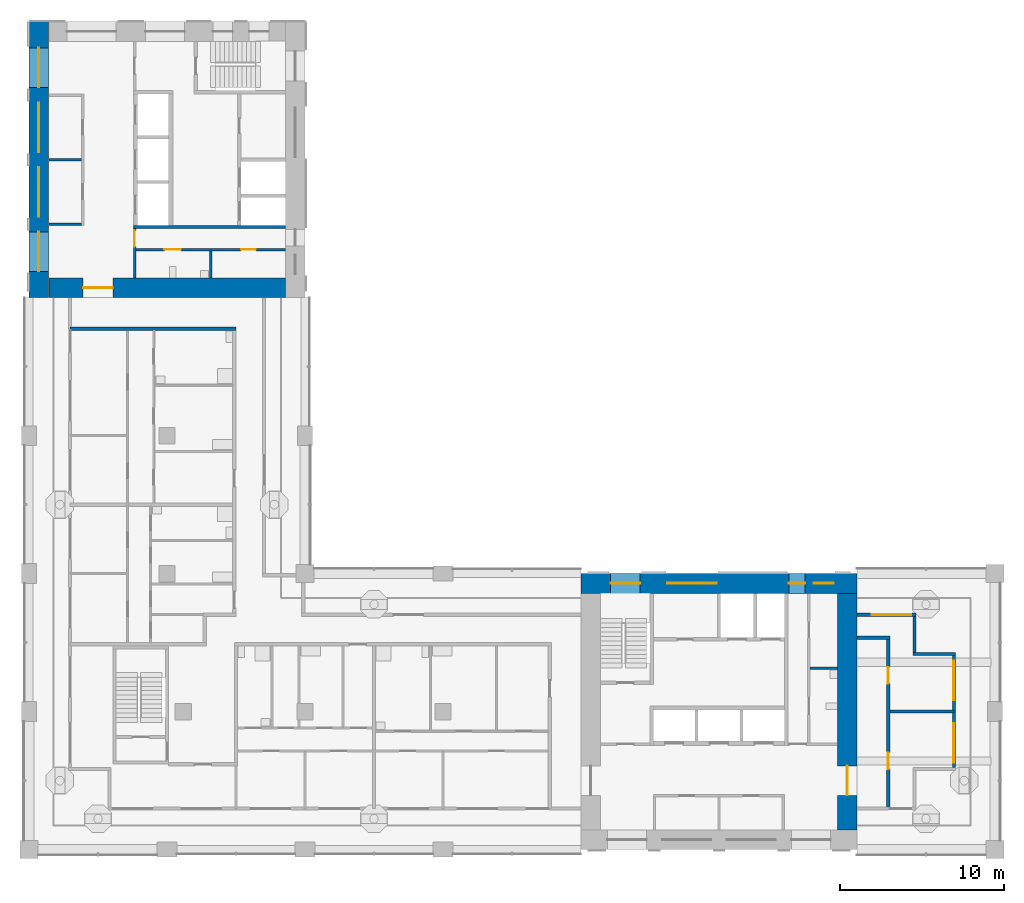
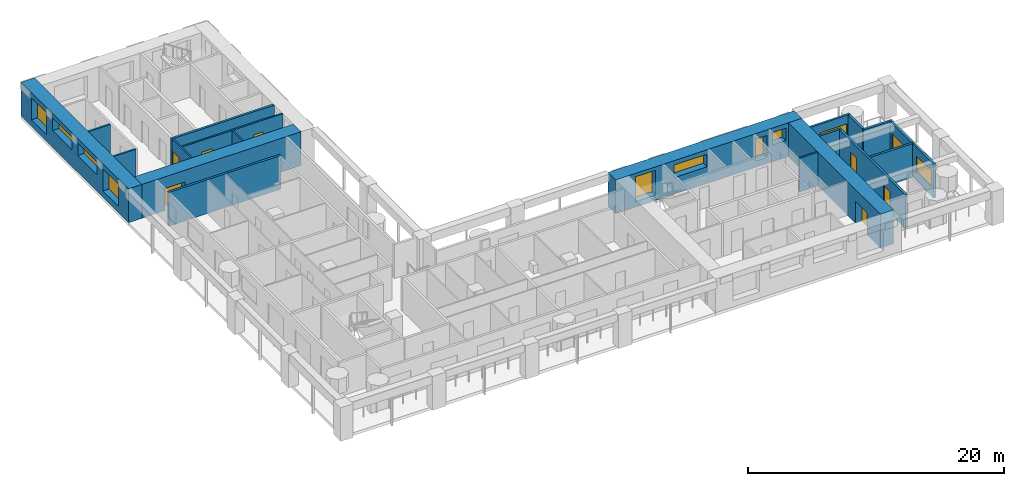
# One storey, part 5 of 13: 19 walls, 10 windows, 8 doors, 18 openings.
"""IFC4 building model written with IfcOpenShell, lengths in metres."""

import ifcopenshell
import ifcopenshell.guid

model = None  # the IFC model being written
_history = None  # IfcOwnerHistory: only IFC2X3 demands one
_inside = {}  # id of a spatial element -> (the spatial element, [elements in it])
_under = {}  # id of a project, library or spatial element -> (it, [spatial elements below it])
_declared = {}  # id of a project -> (the project, [libraries it declares])
_typed = {}  # id of a type object -> (the type object, [elements of that type])
_made_of = {}  # id of a material, layer set ... -> (it, [elements and type objects made of it])


def new_model(schema):
    """Start an empty IFC model of exactly this schema.

    Asked for "IFC4X3", IfcOpenShell would pick the latest addendum, in which some entities
    have other attributes; the version numbers below select the first issue.
    IFC2X3 requires an IfcOwnerHistory on every rooted entity: one is made here for all.
    """
    global model, _history
    if schema == "IFC4X3":
        model = ifcopenshell.file(schema_version=(4, 3, 0, 0))
    else:
        model = ifcopenshell.file(schema=schema)
    _inside.clear()
    _under.clear()
    _declared.clear()
    _typed.clear()
    _made_of.clear()
    _history = None
    if model.schema == "IFC2X3":
        org = make("IfcOrganization", Name="unknown")
        user = make(
            "IfcPersonAndOrganization",
            ThePerson=make("IfcPerson", FamilyName="unknown"),
            TheOrganization=org,
        )
        app = make(
            "IfcApplication",
            ApplicationDeveloper=org,
            Version="unknown",
            ApplicationFullName="unknown",
            ApplicationIdentifier="unknown",
        )
        _history = make(
            "IfcOwnerHistory",
            OwningUser=user,
            OwningApplication=app,
            ChangeAction="ADDED",
            CreationDate=0,
        )
    return model


def make(cls, **values):
    """One entity of the class cls with the attributes given. An attribute that is None is left unset."""
    return model.create_entity(
        cls, **{name: value for name, value in values.items() if value is not None}
    )


def rooted(cls, **values):
    """An entity with a GlobalId (a new one), such as an element, a storey or a relation."""
    return make(cls, GlobalId=ifcopenshell.guid.new(), OwnerHistory=_history, **values)


def si_unit(unit_type, name, prefix=None):
    """IfcSIUnit, for example si_unit("LENGTHUNIT", "METRE", prefix="MILLI")."""
    return make("IfcSIUnit", UnitType=unit_type, Prefix=prefix, Name=name)


def assignment(units):
    """IfcUnitAssignment: the units of a project."""
    return None if units is None else make("IfcUnitAssignment", Units=units)


def point(xyz):
    """IfcCartesianPoint."""
    return None if xyz is None else make("IfcCartesianPoint", Coordinates=xyz)


def direction(xyz):
    """IfcDirection."""
    return None if xyz is None else make("IfcDirection", DirectionRatios=xyz)


def frame(location, z_axis=None, x_axis=None):
    """IfcAxis2Placement3D, a coordinate frame: its origin and axes. An axis left out is left unset."""
    return make(
        "IfcAxis2Placement3D",
        Location=point(location),
        Axis=direction(z_axis),
        RefDirection=direction(x_axis),
    )


def frame_2d(location, x_axis=None):
    """IfcAxis2Placement2D, a coordinate frame in the plane: its origin and x axis."""
    return make(
        "IfcAxis2Placement2D", Location=point(location), RefDirection=direction(x_axis)
    )


def origin():
    """The frame at (0, 0, 0) with its axes left unset."""
    return frame((0.0, 0.0, 0.0))


def place(relative_to, where):
    """IfcLocalPlacement: puts the frame where relative to a parent placement (None: the world)."""
    return make(
        "IfcLocalPlacement", PlacementRelTo=relative_to, RelativePlacement=where
    )


def context(
    kind, dimensions, precision=None, world=None, true_north=None, identifier=None
):
    """IfcGeometricRepresentationContext, for example the 3D "Model" context."""
    return make(
        "IfcGeometricRepresentationContext",
        ContextIdentifier=identifier,
        ContextType=kind,
        CoordinateSpaceDimension=dimensions,
        Precision=precision,
        WorldCoordinateSystem=world,
        TrueNorth=true_north,
    )


def subcontext(parent, identifier, kind, view, scale=None):
    """IfcGeometricRepresentationSubContext, for example "Body" below "Model"."""
    return make(
        "IfcGeometricRepresentationSubContext",
        ContextIdentifier=identifier,
        ContextType=kind,
        ParentContext=parent,
        TargetScale=scale,
        TargetView=view,
    )


def project(units=None, contexts=None):
    """IfcProject with its units and contexts."""
    return rooted(
        "IfcProject",
        Name="project",
        RepresentationContexts=contexts,
        UnitsInContext=assignment(units),
    )


def spatial(cls, under=None, at=None, **own):
    """A site, building, storey or space (cls), placed at a placement, below another one or the project."""
    s = rooted(cls, ObjectPlacement=at, **own)
    if under is not None:
        _under.setdefault(under.id(), (under, []))[1].append(s)
    return s


def profile(cls, at=None, kind="AREA", **sizes):
    """A parametric profile (cls). Its sizes go by their IFC names, for example OverallWidth=200.0."""
    return make(cls, ProfileType=kind, Position=at, **sizes)


def rectangle(**sizes):
    """IfcRectangleProfileDef."""
    return profile("IfcRectangleProfileDef", **sizes)


def extrude(swept, where, along, depth):
    """IfcExtrudedAreaSolid: the profile swept, set in the frame where, extruded along a direction by depth."""
    return make(
        "IfcExtrudedAreaSolid",
        SweptArea=swept,
        Position=where,
        ExtrudedDirection=direction(along),
        Depth=depth,
    )


def shape(context_of_items, identifier, shape_type, items):
    """IfcShapeRepresentation: the items that make up one representation, for example the "Body"."""
    return make(
        "IfcShapeRepresentation",
        ContextOfItems=context_of_items,
        RepresentationIdentifier=identifier,
        RepresentationType=shape_type,
        Items=items,
    )


def material(Name=None, Category=None):
    """IfcMaterial."""
    return make("IfcMaterial", Name=Name, Category=Category)


def layer(
    of_material, thickness, ventilated=None, Name=None, Category=None, Priority=None
):
    """IfcMaterialLayer: one layer of a wall or slab, of a material (None: an air gap)."""
    return make(
        "IfcMaterialLayer",
        Material=of_material,
        LayerThickness=thickness,
        IsVentilated=ventilated,
        Name=Name,
        Category=Category,
        Priority=Priority,
    )


def layer_set(layers, Name=None):
    """IfcMaterialLayerSet."""
    return make("IfcMaterialLayerSet", MaterialLayers=layers, LayerSetName=Name)


def made_of(thing, what):
    """Note that an element or type object is made of a material, layer set ...; save() writes the relation."""
    if what is not None:
        _made_of.setdefault(what.id(), (what, []))[1].append(thing)
    return thing


def type_object(cls, material=None, **own):
    """A type object (cls), such as IfcWallType, which elements share."""
    return made_of(rooted(cls, **own), material)


def element(
    cls,
    number,
    at=None,
    inside=None,
    cuts=None,
    type_object=None,
    material=None,
    context=None,
    identifier="Body",
    shape_type=None,
    held_by="IfcProductDefinitionShape",
    body=None,
    shapes=None,
    **own,
):
    """One element of the class cls, such as IfcWall. Its Tag is "e" and its number.

    at: its placement. inside: the storey or other place that contains it. cuts: it is an
    opening in that element (IfcRelVoidsElement). A single representation is given by context,
    identifier, shape_type and body (its items); several are given by shapes. held_by: the class
    of the entity that holds the representations. save() writes the other relations.
    """
    e = rooted(cls, Tag="e%d" % number, ObjectPlacement=at, **own)
    if body is not None:
        shapes = [shape(context, identifier, shape_type, body)]
    if shapes is not None:
        e.Representation = make(held_by, Representations=shapes)
    if inside is not None:
        _inside.setdefault(inside.id(), (inside, []))[1].append(e)
    if cuts is not None:
        rooted(
            "IfcRelVoidsElement", RelatingBuildingElement=cuts, RelatedOpeningElement=e
        )
    if type_object is not None:
        _typed.setdefault(type_object.id(), (type_object, []))[1].append(e)
    return made_of(e, material)


def fill(opening, filler):
    """IfcRelFillsElement: the door or window that sits in an opening."""
    return rooted(
        "IfcRelFillsElement",
        RelatingOpeningElement=opening,
        RelatedBuildingElement=filler,
    )


def aggregate(whole, parts):
    """IfcRelAggregates: a whole, such as a stair, and the parts it consists of."""
    return rooted("IfcRelAggregates", RelatingObject=whole, RelatedObjects=parts)


def save(model, path):
    """Write the relations noted so far, then the file.

    IfcRelAggregates (storeys below a building ...), IfcRelContainedInSpatialStructure (elements
    in a storey), IfcRelDefinesByType, IfcRelAssociatesMaterial and IfcRelDeclares: one each for
    every whole, place, type object, material and project.
    """
    for whole, parts in _under.values():
        aggregate(whole, parts)
    for where, things in _inside.values():
        rooted(
            "IfcRelContainedInSpatialStructure",
            RelatedElements=things,
            RelatingStructure=where,
        )
    for kind, things in _typed.values():
        rooted("IfcRelDefinesByType", RelatedObjects=things, RelatingType=kind)
    for what, things in _made_of.values():
        rooted("IfcRelAssociatesMaterial", RelatedObjects=things, RelatingMaterial=what)
    for by, libraries in _declared.values():
        rooted("IfcRelDeclares", RelatingContext=by, RelatedDefinitions=libraries)
    model.write(path)


model = new_model("IFC4")

# Units and contexts
model_context = context("Model", 3, precision=1e-05, world=origin(), true_north=direction((0.0, 1.0)))
body_context = subcontext(model_context, "Body", "Model", "MODEL_VIEW")
ifc_project = project(units=[si_unit("LENGTHUNIT", "METRE"), si_unit("AREAUNIT", "SQUARE_METRE"), si_unit("VOLUMEUNIT", "CUBIC_METRE"), si_unit("PLANEANGLEUNIT", "RADIAN"), si_unit("MASSUNIT", "GRAM", prefix="KILO")], contexts=[model_context])

# Site, building, storey
site_placement = place(None, origin())
site = spatial("IfcSite", under=ifc_project, at=site_placement, CompositionType="ELEMENT")
building_placement = place(site_placement, origin())
building = spatial("IfcBuilding", under=site, at=building_placement, Name="Vermilion Gate Residences", CompositionType="ELEMENT")
storey_placement = place(building_placement, frame((0.0, 0.0, 186.199951171875)))
storey = spatial("IfcBuildingStorey", under=building, at=storey_placement, Name="L48", CompositionType="ELEMENT", Elevation=186.199951171875)

# Walls
ifc_material_1 = material(Name="Masonry blockwork", Category="masonry")
ifc_layer_1 = layer(ifc_material_1, 0.14990234375)
ifc_layer_set_1 = layer_set([ifc_layer_1], Name="BLOCKWORK PARTITION 150 EI 120")
wall_type_1 = type_object("IfcWallType", Name="BLOCKWORK PARTITION 150 EI 120", PredefinedType="PARTITIONING", material=ifc_layer_set_1)
wall_1_placement = place(storey_placement, frame((55.949951171875, 19.449951171875, 0.0), z_axis=(0.0, 0.0, 1.0), x_axis=(1.0, 0.0, 0.0)))
element("IfcWall", 1, at=wall_1_placement, inside=storey, type_object=wall_type_1, Name="Core room partition A48-ES-P0", PredefinedType="PARTITIONING", context=body_context, shape_type="SweptSolid", body=[
    extrude(rectangle(XDim=1.650146484375, YDim=0.14990234375, at=frame_2d((0.8251953125, 0.0))), origin(), (0.0, 0.0, 1.0), 3.219970703125),
])
for number, where, z_axis, x_axis, name in (
    (2, (9.60009765625, 46.47509765625, 0.0), (0.0, 0.0, 1.0), (1.0, 0.0, 0.0), "Core room partition B48-RW-E"),
    (3, (9.60009765625, 50.39990234375, 0.0), (0.0, 0.0, 1.0), (1.0, 0.0, 0.0), "Core room partition B48-SR-P0"),
):
    element("IfcWall", number, at=place(storey_placement, frame(where, z_axis=z_axis, x_axis=x_axis)), inside=storey, type_object=wall_type_1, Name=name, PredefinedType="PARTITIONING", context=body_context, shape_type="SweptSolid", body=[
        extrude(rectangle(XDim=2.0, YDim=0.14990234375, at=frame_2d((1.0, 0.0))), origin(), (0.0, 0.0, 1.0), 3.219970703125),
    ])

# Wall, opening, door
wall_2_placement = place(storey_placement, frame((14.824951171875, 46.199951171875, 0.0), z_axis=(0.0, 0.0, 1.0), x_axis=(0.0, -1.0, 0.0)))
wall_2 = element("IfcWall", 4, at=wall_2_placement, inside=storey, type_object=wall_type_1, Name="Core room partition B48-ES-S", PredefinedType="PARTITIONING", context=body_context, shape_type="SweptSolid", body=[
    extrude(rectangle(XDim=3.0, YDim=0.14990234375, at=frame_2d((1.5, 0.0))), origin(), (0.0, 0.0, 1.0), 3.219970703125),
])
opening_1_placement = place(wall_2_placement, frame((0.10009765625, 0.0, 0.0)))
opening_1 = element("IfcOpeningElement", 5, at=opening_1_placement, cuts=wall_2, Name="Opening DK48112", PredefinedType="OPENING", context=body_context, shape_type="SweptSolid", body=[
    extrude(rectangle(XDim=1.0, YDim=2.10009765625, at=frame_2d((0.5, 1.050048828125))), frame((0.0, 0.0849609375, 0.0), z_axis=(0.0, -1.0, 0.0), x_axis=(1.0, 0.0, 0.0)), (0.0, 0.0, 1.0), 0.169921875),
])
ifc_material_2 = material(Name="Steel", Category="steel")
door_type_1 = type_object("IfcDoorType", Name="FIRE DOOR FD60 1000 X 2100", OperationType="SINGLE_SWING_LEFT", PredefinedType="DOOR", material=ifc_material_2)
door_1_placement = place(opening_1_placement, frame((1.0, 0.0, 0.0), z_axis=(0.0, 0.0, 1.0), x_axis=(-1.0, 0.0, 0.0)))
door_1 = element("IfcDoor", 6, at=door_1_placement, inside=storey, type_object=door_type_1, Name="Service corridor door B48", OperationType="SINGLE_SWING_LEFT", OverallHeight=2.10009765625, OverallWidth=1.0, PredefinedType="DOOR", context=body_context, shape_type="SweptSolid", body=[
    extrude(rectangle(XDim=1.0, YDim=2.10009765625, at=frame_2d((0.5, 1.050048828125))), frame((0.0, 0.02490234375, 0.0), z_axis=(0.0, -1.0, 0.0), x_axis=(1.0, 0.0, 0.0)), (0.0, 0.0, 1.0), 0.050048828125),
])
fill(opening_1, door_1)

# Wall
wall_3_placement = place(storey_placement, frame((19.449951171875, 44.85009765625, 0.0), z_axis=(0.0, 0.0, 1.0), x_axis=(0.0, -1.0, 0.0)))
element("IfcWall", 7, at=wall_3_placement, inside=storey, type_object=wall_type_1, Name="Core room partition B48-ES-P0", PredefinedType="PARTITIONING", context=body_context, shape_type="SweptSolid", body=[
    extrude(rectangle(XDim=1.650146484375, YDim=0.14990234375, at=frame_2d((0.8251953125, 0.0))), origin(), (0.0, 0.0, 1.0), 3.219970703125),
])

# Wall, openings, doors
wall_4_placement = place(storey_placement, frame((14.89990234375, 44.925048828125, 0.0), z_axis=(0.0, 0.0, 1.0), x_axis=(1.0, 0.0, 0.0)))
wall_4 = element("IfcWall", 8, at=wall_4_placement, inside=storey, type_object=wall_type_1, Name="Core room partition B48-ES-W", PredefinedType="PARTITIONING", context=body_context, shape_type="SweptSolid", body=[
    extrude(rectangle(XDim=9.10009765625, YDim=0.14990234375, at=frame_2d((4.550048828125, 0.0))), origin(), (0.0, 0.0, 1.0), 3.219970703125),
])
opening_2_placement = place(wall_4_placement, frame((1.737548828125, 0.0, 0.0)))
opening_2 = element("IfcOpeningElement", 9, at=opening_2_placement, cuts=wall_4, Name="Opening DK48113", PredefinedType="OPENING", context=body_context, shape_type="SweptSolid", body=[
    extrude(rectangle(XDim=1.0, YDim=2.10009765625, at=frame_2d((0.5, 1.050048828125))), frame((0.0, 0.0849609375, 0.0), z_axis=(0.0, -1.0, 0.0), x_axis=(1.0, 0.0, 0.0)), (0.0, 0.0, 1.0), 0.169921875),
])
opening_3_placement = place(wall_4_placement, frame((6.41259765625, 0.0, 0.0)))
opening_3 = element("IfcOpeningElement", 10, at=opening_3_placement, cuts=wall_4, Name="Opening DK48114", PredefinedType="OPENING", context=body_context, shape_type="SweptSolid", body=[
    extrude(rectangle(XDim=0.89990234375, YDim=2.10009765625, at=frame_2d((0.449951171875, 1.050048828125))), frame((0.0, 0.0849609375, 0.0), z_axis=(0.0, -1.0, 0.0), x_axis=(1.0, 0.0, 0.0)), (0.0, 0.0, 1.0), 0.169921875),
])
door_2_placement = place(opening_2_placement, frame((1.0, 0.0, 0.0), z_axis=(0.0, 0.0, 1.0), x_axis=(-1.0, 0.0, 0.0)))
door_2 = element("IfcDoor", 11, at=door_2_placement, inside=storey, type_object=door_type_1, Name="Accessible WC B48", OperationType="SINGLE_SWING_RIGHT", OverallHeight=2.10009765625, OverallWidth=1.0, PredefinedType="DOOR", context=body_context, shape_type="SweptSolid", body=[
    extrude(rectangle(XDim=1.0, YDim=2.10009765625, at=frame_2d((0.5, 1.050048828125))), frame((0.0, 0.02490234375, 0.0), z_axis=(0.0, -1.0, 0.0), x_axis=(1.0, 0.0, 0.0)), (0.0, 0.0, 1.0), 0.050048828125),
])
fill(opening_2, door_2)
ifc_material_3 = material(Name="Steel", Category="steel")
door_type_2 = type_object("IfcDoorType", Name="SERVICE ROOM DOOR FD60 900 X 2100", OperationType="SINGLE_SWING_LEFT", PredefinedType="DOOR", material=ifc_material_3)
door_3_placement = place(opening_3_placement, frame((0.89990234375, 0.0, 0.0), z_axis=(0.0, 0.0, 1.0), x_axis=(-1.0, 0.0, 0.0)))
door_3 = element("IfcDoor", 12, at=door_3_placement, inside=storey, type_object=door_type_2, Name="Communications room B48", OperationType="SINGLE_SWING_RIGHT", OverallHeight=2.10009765625, OverallWidth=0.89990234375, PredefinedType="DOOR", context=body_context, shape_type="SweptSolid", body=[
    extrude(rectangle(XDim=0.89990234375, YDim=2.10009765625, at=frame_2d((0.449951171875, 1.050048828125))), frame((0.0, 0.02490234375, 0.0), z_axis=(0.0, -1.0, 0.0), x_axis=(1.0, 0.0, 0.0)), (0.0, 0.0, 1.0), 0.050048828125),
])
fill(opening_3, door_3)

# Wall, openings, door, window
ifc_material_4 = material(Name="Insulated steel stud wall with terracotta rainscreen", Category="masonry")
ifc_layer_2 = layer(ifc_material_4, 0.199951171875)
ifc_layer_set_2 = layer_set([ifc_layer_2], Name="EXTERNAL WALL 200 TERRACOTTA RAINSCREEN")
wall_type_2 = type_object("IfcWallType", Name="EXTERNAL WALL 200 TERRACOTTA RAINSCREEN", PredefinedType="SOLIDWALL", material=ifc_layer_set_2)
wall_5_placement = place(storey_placement, frame((64.699951171875, 13.39990234375, 0.0), z_axis=(0.0, 0.0, 1.0), x_axis=(0.0, 1.0, 0.0)))
wall_5 = element("IfcWall", 13, at=wall_5_placement, inside=storey, type_object=wall_type_2, Name="External wall", PredefinedType="SOLIDWALL", context=body_context, shape_type="SweptSolid", body=[
    extrude(rectangle(XDim=6.800048828125, YDim=0.199951171875, at=frame_2d((3.39990234375, 0.0))), origin(), (0.0, 0.0, 1.0), 3.219970703125),
])
opening_4_placement = place(wall_5_placement, frame((0.300048828125, 0.0, 0.89990234375)))
opening_4 = element("IfcOpeningElement", 14, at=opening_4_placement, cuts=wall_5, Name="Opening WE48016", PredefinedType="OPENING", context=body_context, shape_type="SweptSolid", body=[
    extrude(rectangle(XDim=2.39990234375, YDim=1.5, at=frame_2d((1.199951171875, 0.75))), frame((0.0, 0.10986328125, 0.0), z_axis=(0.0, -1.0, 0.0), x_axis=(1.0, 0.0, 0.0)), (0.0, 0.0, 1.0), 0.219970703125),
])
opening_5_placement = place(wall_5_placement, frame((4.10009765625, 0.0, 0.0)))
opening_5 = element("IfcOpeningElement", 15, at=opening_5_placement, cuts=wall_5, Name="Opening DE48019", PredefinedType="OPENING", context=body_context, shape_type="SweptSolid", body=[
    extrude(rectangle(XDim=2.39990234375, YDim=2.199951171875, at=frame_2d((1.199951171875, 1.10009765625))), frame((0.0, 0.10986328125, 0.0), z_axis=(0.0, -1.0, 0.0), x_axis=(1.0, 0.0, 0.0)), (0.0, 0.0, 1.0), 0.219970703125),
])
ifc_material_5 = material(Name="Aluminium and clear glass", Category="aluminium")
door_type_3 = type_object("IfcDoorType", Name="SLIDING GLAZED DOOR 2400 X 2200", OperationType="DOUBLE_DOOR_SLIDING", PredefinedType="DOOR", material=ifc_material_5)
door_4_placement = place(opening_5_placement, origin())
door_4 = element("IfcDoor", 16, at=door_4_placement, inside=storey, type_object=door_type_3, Name="Loggia sliding door", OperationType="DOUBLE_DOOR_SLIDING", OverallHeight=2.199951171875, OverallWidth=2.39990234375, PredefinedType="DOOR", context=body_context, shape_type="SweptSolid", body=[
    extrude(rectangle(XDim=2.39990234375, YDim=2.199951171875, at=frame_2d((1.199951171875, 1.10009765625))), frame((0.0, 0.02490234375, 0.0), z_axis=(0.0, -1.0, 0.0), x_axis=(1.0, 0.0, 0.0)), (0.0, 0.0, 1.0), 0.050048828125),
])
fill(opening_5, door_4)
ifc_material_6 = material(Name="Aluminium and clear glass", Category="aluminium")
window_type_1 = type_object("IfcWindowType", Name="WINDOW 2400 X 1500", PartitioningType="SINGLE_PANEL", PredefinedType="WINDOW", material=ifc_material_6)
window_1_placement = place(opening_4_placement, origin())
window_1 = element("IfcWindow", 17, at=window_1_placement, inside=storey, type_object=window_type_1, Name="Window", OverallHeight=1.5, OverallWidth=2.39990234375, PartitioningType="SINGLE_PANEL", PredefinedType="WINDOW", context=body_context, shape_type="SweptSolid", body=[
    extrude(rectangle(XDim=2.39990234375, YDim=1.5, at=frame_2d((1.199951171875, 0.75))), frame((0.0, 0.030029296875, 0.0), z_axis=(0.0, -1.0, 0.0), x_axis=(1.0, 0.0, 0.0)), (0.0, 0.0, 1.0), 0.06005859375),
])
fill(opening_4, window_1)

# Walls
wall_6_placement = place(storey_placement, frame((64.800048828125, 20.300048828125, 0.0), z_axis=(0.0, 0.0, 1.0), x_axis=(-1.0, 0.0, 0.0)))
element("IfcWall", 18, at=wall_6_placement, inside=storey, type_object=wall_type_2, Name="External wall", PredefinedType="SOLIDWALL", context=body_context, shape_type="SweptSolid", body=[
    extrude(rectangle(XDim=2.60009765625, YDim=0.199951171875, at=frame_2d((1.300048828125, 0.0))), origin(), (0.0, 0.0, 1.0), 3.219970703125),
])
wall_7_placement = place(storey_placement, frame((62.300048828125, 20.39990234375, 0.0), z_axis=(0.0, 0.0, 1.0), x_axis=(0.0, 1.0, 0.0)))
element("IfcWall", 19, at=wall_7_placement, inside=storey, type_object=wall_type_2, Name="External wall", PredefinedType="SOLIDWALL", context=body_context, shape_type="SweptSolid", body=[
    extrude(rectangle(XDim=2.2001953125, YDim=0.199951171875, at=frame_2d((1.10009765625, 0.0))), origin(), (0.0, 0.0, 1.0), 3.219970703125),
])

# Wall, opening, window
wall_8_placement = place(storey_placement, frame((62.39990234375, 22.699951171875, 0.0), z_axis=(0.0, 0.0, 1.0), x_axis=(-1.0, 0.0, 0.0)))
wall_8 = element("IfcWall", 20, at=wall_8_placement, inside=storey, type_object=wall_type_2, Name="External wall", PredefinedType="SOLIDWALL", context=body_context, shape_type="SweptSolid", body=[
    extrude(rectangle(XDim=3.599853515625, YDim=0.199951171875, at=frame_2d((1.7998046875, 0.0))), origin(), (0.0, 0.0, 1.0), 3.219970703125),
])
opening_6_placement = place(wall_8_placement, frame((0.300048828125, 0.0, 0.89990234375)))
opening_6 = element("IfcOpeningElement", 21, at=opening_6_placement, cuts=wall_8, Name="Opening WE48018", PredefinedType="OPENING", context=body_context, shape_type="SweptSolid", body=[
    extrude(rectangle(XDim=2.39990234375, YDim=1.5, at=frame_2d((1.199951171875, 0.75))), frame((0.0, 0.10986328125, 0.0), z_axis=(0.0, -1.0, 0.0), x_axis=(1.0, 0.0, 0.0)), (0.0, 0.0, 1.0), 0.219970703125),
])
window_2_placement = place(opening_6_placement, origin())
window_2 = element("IfcWindow", 22, at=window_2_placement, inside=storey, type_object=window_type_1, Name="Window", OverallHeight=1.5, OverallWidth=2.39990234375, PartitioningType="SINGLE_PANEL", PredefinedType="WINDOW", context=body_context, shape_type="SweptSolid", body=[
    extrude(rectangle(XDim=2.39990234375, YDim=1.5, at=frame_2d((1.199951171875, 0.75))), frame((0.0, 0.030029296875, 0.0), z_axis=(0.0, -1.0, 0.0), x_axis=(1.0, 0.0, 0.0)), (0.0, 0.0, 1.0), 0.06005859375),
])
fill(opening_6, window_2)

# Walls
ifc_material_7 = material(Name="Fire-rated plasterboard on steel studs", Category="steel")
ifc_layer_3 = layer(ifc_material_7, 0.199951171875)
ifc_layer_set_3 = layer_set([ifc_layer_3], Name="PARTY WALL 200 EI 120")
wall_type_3 = type_object("IfcWallType", Name="PARTY WALL 200 EI 120", PredefinedType="PARTITIONING", material=ifc_layer_set_3)
wall_9_placement = place(storey_placement, frame((60.800048828125, 16.800048828125, 0.0), z_axis=(0.0, 0.0, 1.0), x_axis=(1.0, 0.0, 0.0)))
element("IfcWall", 23, at=wall_9_placement, inside=storey, type_object=wall_type_3, Name="Party and corridor wall", PredefinedType="PARTITIONING", context=body_context, shape_type="SweptSolid", body=[
    extrude(rectangle(XDim=3.89990234375, YDim=0.199951171875, at=frame_2d((1.949951171875, 0.0))), origin(), (0.0, 0.0, 1.0), 3.219970703125),
])
wall_10_placement = place(storey_placement, frame((58.800048828125, 21.300048828125, 0.0), z_axis=(0.0, 0.0, 1.0), x_axis=(1.0, 0.0, 0.0)))
element("IfcWall", 24, at=wall_10_placement, inside=storey, type_object=wall_type_3, Name="Party and corridor wall", PredefinedType="PARTITIONING", context=body_context, shape_type="SweptSolid", body=[
    extrude(rectangle(XDim=2.0, YDim=0.199951171875, at=frame_2d((1.0, 0.0))), origin(), (0.0, 0.0, 1.0), 3.219970703125),
])
wall_11_placement = place(storey_placement, frame((10.89990234375, 40.10009765625, 0.0), z_axis=(0.0, 0.0, 1.0), x_axis=(1.0, 0.0, 0.0)))
element("IfcWall", 25, at=wall_11_placement, inside=storey, type_object=wall_type_3, Name="Party and corridor wall", PredefinedType="PARTITIONING", context=body_context, shape_type="SweptSolid", body=[
    extrude(rectangle(XDim=10.10009765625, YDim=0.199951171875, at=frame_2d((5.050048828125, 0.0))), origin(), (0.0, 0.0, 1.0), 3.219970703125),
])

# Wall, openings, doors
wall_12_placement = place(storey_placement, frame((60.699951171875, 10.89990234375, 0.0), z_axis=(0.0, 0.0, 1.0), x_axis=(0.0, 1.0, 0.0)))
wall_12 = element("IfcWall", 26, at=wall_12_placement, inside=storey, type_object=wall_type_3, Name="Party and corridor wall", PredefinedType="PARTITIONING", context=body_context, shape_type="SweptSolid", body=[
    extrude(rectangle(XDim=10.300048828125, YDim=0.199951171875, at=frame_2d((5.14990234375, 0.0))), origin(), (0.0, 0.0, 1.0), 3.219970703125),
])
opening_7_placement = place(wall_12_placement, frame((2.39990234375, 0.0, 0.0)))
opening_7 = element("IfcOpeningElement", 27, at=opening_7_placement, cuts=wall_12, Name="Opening DA46028", PredefinedType="OPENING", context=body_context, shape_type="SweptSolid", body=[
    extrude(rectangle(XDim=1.0, YDim=2.10009765625, at=frame_2d((0.5, 1.050048828125))), frame((0.0, 0.10986328125, 0.0), z_axis=(0.0, -1.0, 0.0), x_axis=(1.0, 0.0, 0.0)), (0.0, 0.0, 1.0), 0.219970703125),
])
opening_8_placement = place(wall_12_placement, frame((7.60009765625, 0.0, 0.0)))
opening_8 = element("IfcOpeningElement", 28, at=opening_8_placement, cuts=wall_12, Name="Opening DA46029", PredefinedType="OPENING", context=body_context, shape_type="SweptSolid", body=[
    extrude(rectangle(XDim=1.0, YDim=2.10009765625, at=frame_2d((0.5, 1.050048828125))), frame((0.0, 0.10986328125, 0.0), z_axis=(0.0, -1.0, 0.0), x_axis=(1.0, 0.0, 0.0)), (0.0, 0.0, 1.0), 0.219970703125),
])
ifc_material_8 = material(Name="Steel", Category="steel")
door_type_4 = type_object("IfcDoorType", Name="ENTRANCE DOOR 1000 X 2100 FD30", OperationType="SINGLE_SWING_LEFT", PredefinedType="DOOR", material=ifc_material_8)
door_5_placement = place(opening_7_placement, frame((1.0, 0.0, 0.0), z_axis=(0.0, 0.0, 1.0), x_axis=(-1.0, 0.0, 0.0)))
door_5 = element("IfcDoor", 29, at=door_5_placement, inside=storey, type_object=door_type_4, Name="Entrance door", OperationType="SINGLE_SWING_RIGHT", OverallHeight=2.10009765625, OverallWidth=1.0, PredefinedType="DOOR", context=body_context, shape_type="SweptSolid", body=[
    extrude(rectangle(XDim=1.0, YDim=2.10009765625, at=frame_2d((0.5, 1.050048828125))), frame((0.0, 0.02490234375, 0.0), z_axis=(0.0, -1.0, 0.0), x_axis=(1.0, 0.0, 0.0)), (0.0, 0.0, 1.0), 0.050048828125),
])
fill(opening_7, door_5)
door_6_placement = place(opening_8_placement, frame((1.0, 0.0, 0.0), z_axis=(0.0, 0.0, 1.0), x_axis=(-1.0, 0.0, 0.0)))
door_6 = element("IfcDoor", 30, at=door_6_placement, inside=storey, type_object=door_type_4, Name="Entrance door", OperationType="SINGLE_SWING_RIGHT", OverallHeight=2.10009765625, OverallWidth=1.0, PredefinedType="DOOR", context=body_context, shape_type="SweptSolid", body=[
    extrude(rectangle(XDim=1.0, YDim=2.10009765625, at=frame_2d((0.5, 1.050048828125))), frame((0.0, 0.02490234375, 0.0), z_axis=(0.0, -1.0, 0.0), x_axis=(1.0, 0.0, 0.0)), (0.0, 0.0, 1.0), 0.050048828125),
])
fill(opening_8, door_6)

# Wall
ifc_material_9 = material(Name="Concrete C60", Category="concrete")
ifc_layer_4 = layer(ifc_material_9, 0.199951171875)
ifc_layer_set_4 = layer_set([ifc_layer_4], Name="RC CORE INTERNAL WALL 200 C60")
wall_type_4 = type_object("IfcWallType", Name="RC CORE INTERNAL WALL 200 C60", PredefinedType="SHEAR", material=ifc_layer_set_4)
wall_13_placement = place(storey_placement, frame((14.75, 46.300048828125, 0.0), z_axis=(0.0, 0.0, 1.0), x_axis=(1.0, 0.0, 0.0)))
element("IfcWall", 31, at=wall_13_placement, inside=storey, type_object=wall_type_4, Name="Core internal wall B48-EDIV", PredefinedType="SHEAR", context=body_context, shape_type="SweptSolid", body=[
    extrude(rectangle(XDim=9.25, YDim=0.199951171875, at=frame_2d((4.625, 0.0))), origin(), (0.0, 0.0, 1.0), 3.219970703125),
])

# Wall, opening, door
ifc_material_10 = material(Name="Concrete C60", Category="concrete")
ifc_layer_5 = layer(ifc_material_10, 1.199951171875)
ifc_layer_set_5 = layer_set([ifc_layer_5], Name="RC CORE WALL 1200 C60")
wall_type_5 = type_object("IfcWallType", Name="RC CORE WALL 1200 C60", PredefinedType="SHEAR", material=ifc_layer_set_5)
wall_14_placement = place(storey_placement, frame((58.199951171875, 9.60009765625, 0.0), z_axis=(0.0, 0.0, 1.0), x_axis=(0.0, 1.0, 0.0)))
wall_14 = element("IfcWall", 32, at=wall_14_placement, inside=storey, type_object=wall_type_5, Name="Core wall A48-OUT-BK", PredefinedType="SHEAR", context=body_context, shape_type="SweptSolid", body=[
    extrude(rectangle(XDim=14.39990234375, YDim=1.199951171875, at=frame_2d((7.199951171875, 0.0))), origin(), (0.0, 0.0, 1.0), 3.219970703125),
])
opening_9_placement = place(wall_14_placement, frame((2.10009765625, 0.0, 0.0)))
opening_9 = element("IfcOpeningElement", 33, at=opening_9_placement, cuts=wall_14, Name="Opening DK48002", PredefinedType="OPENING", context=body_context, shape_type="SweptSolid", body=[
    extrude(rectangle(XDim=1.800048828125, YDim=2.10009765625, at=frame_2d((0.89990234375, 1.050048828125))), frame((0.0, 0.60986328125, 0.0), z_axis=(0.0, -1.0, 0.0), x_axis=(1.0, 0.0, 0.0)), (0.0, 0.0, 1.0), 1.219970703125),
])
ifc_material_11 = material(Name="Steel", Category="steel")
door_type_5 = type_object("IfcDoorType", Name="CORE LOBBY DOOR FD60 1800 X 2100", OperationType="DOUBLE_DOOR_SINGLE_SWING", PredefinedType="DOOR", material=ifc_material_11)
door_7_placement = place(opening_9_placement, origin())
door_7 = element("IfcDoor", 34, at=door_7_placement, inside=storey, type_object=door_type_5, Name="Core lobby door A48", OperationType="DOUBLE_DOOR_SINGLE_SWING", OverallHeight=2.10009765625, OverallWidth=1.800048828125, PredefinedType="DOOR", context=body_context, shape_type="SweptSolid", body=[
    extrude(rectangle(XDim=1.800048828125, YDim=2.10009765625, at=frame_2d((0.89990234375, 1.050048828125))), frame((0.0, 0.02490234375, 0.0), z_axis=(0.0, -1.0, 0.0), x_axis=(1.0, 0.0, 0.0)), (0.0, 0.0, 1.0), 0.050048828125),
])
fill(opening_9, door_7)

wall_15_placement = place(storey_placement, frame((9.60009765625, 42.60009765625, 0.0), z_axis=(0.0, 0.0, 1.0), x_axis=(1.0, 0.0, 0.0)))
wall_15 = element("IfcWall", 35, at=wall_15_placement, inside=storey, type_object=wall_type_5, Name="Core wall B48-OUT-BK", PredefinedType="SHEAR", context=body_context, shape_type="SweptSolid", body=[
    extrude(rectangle(XDim=14.39990234375, YDim=1.199951171875, at=frame_2d((7.199951171875, 0.0))), origin(), (0.0, 0.0, 1.0), 3.219970703125),
])
opening_10_placement = place(wall_15_placement, frame((2.10009765625, 0.0, 0.0)))
opening_10 = element("IfcOpeningElement", 36, at=opening_10_placement, cuts=wall_15, Name="Opening DK48101", PredefinedType="OPENING", context=body_context, shape_type="SweptSolid", body=[
    extrude(rectangle(XDim=1.800048828125, YDim=2.10009765625, at=frame_2d((0.89990234375, 1.050048828125))), frame((0.0, 0.60986328125, 0.0), z_axis=(0.0, -1.0, 0.0), x_axis=(1.0, 0.0, 0.0)), (0.0, 0.0, 1.0), 1.219970703125),
])
door_8_placement = place(opening_10_placement, frame((1.800048828125, 0.0, 0.0), z_axis=(0.0, 0.0, 1.0), x_axis=(-1.0, 0.0, 0.0)))
door_8 = element("IfcDoor", 37, at=door_8_placement, inside=storey, type_object=door_type_5, Name="Core lobby door B48", OperationType="DOUBLE_DOOR_SINGLE_SWING", OverallHeight=2.10009765625, OverallWidth=1.800048828125, PredefinedType="DOOR", context=body_context, shape_type="SweptSolid", body=[
    extrude(rectangle(XDim=1.800048828125, YDim=2.10009765625, at=frame_2d((0.89990234375, 1.050048828125))), frame((0.0, 0.02490234375, 0.0), z_axis=(0.0, -1.0, 0.0), x_axis=(1.0, 0.0, 0.0)), (0.0, 0.0, 1.0), 0.050048828125),
])
fill(opening_10, door_8)

# Wall, openings, windows
ifc_material_12 = material(Name="Concrete C60 red-oxide pigmented", Category="concrete")
ifc_layer_6 = layer(ifc_material_12, 1.199951171875)
ifc_layer_set_6 = layer_set([ifc_layer_6], Name="RC CORE WALL 1200 C60 RED OXIDE")
wall_type_6 = type_object("IfcWallType", Name="RC CORE WALL 1200 C60 RED OXIDE", PredefinedType="SHEAR", material=ifc_layer_set_6)
wall_16_placement = place(storey_placement, frame((42.0, 24.60009765625, 0.0), z_axis=(0.0, 0.0, 1.0), x_axis=(1.0, 0.0, 0.0)))
wall_16 = element("IfcWall", 38, at=wall_16_placement, inside=storey, type_object=wall_type_6, Name="Core wall A48-OUT-B1", PredefinedType="SHEAR", context=body_context, shape_type="SweptSolid", body=[
    extrude(rectangle(XDim=16.800048828125, YDim=1.199951171875, at=frame_2d((8.39990234375, 0.0))), origin(), (0.0, 0.0, 1.0), 3.219970703125),
])
opening_11_placement = place(wall_16_placement, frame((1.800048828125, 0.0, 0.5)))
opening_11 = element("IfcOpeningElement", 39, at=opening_11_placement, cuts=wall_16, Name="Opening WKA4805", PredefinedType="OPENING", context=body_context, shape_type="SweptSolid", body=[
    extrude(rectangle(XDim=1.800048828125, YDim=2.39990234375, at=frame_2d((0.89990234375, 1.199951171875))), frame((0.0, 0.60986328125, 0.0), z_axis=(0.0, -1.0, 0.0), x_axis=(1.0, 0.0, 0.0)), (0.0, 0.0, 1.0), 1.219970703125),
])
opening_12_placement = place(wall_16_placement, frame((5.25, 0.0, 1.60009765625)))
opening_12 = element("IfcOpeningElement", 40, at=opening_12_placement, cuts=wall_16, Name="Opening WKA4806", PredefinedType="OPENING", context=body_context, shape_type="SweptSolid", body=[
    extrude(rectangle(XDim=3.0, YDim=1.199951171875, at=frame_2d((1.5, 0.60009765625))), frame((0.0, 0.60986328125, 0.0), z_axis=(0.0, -1.0, 0.0), x_axis=(1.0, 0.0, 0.0)), (0.0, 0.0, 1.0), 1.219970703125),
])
opening_13_placement = place(wall_16_placement, frame((12.64990234375, 0.0, 0.60009765625)))
opening_13 = element("IfcOpeningElement", 41, at=opening_13_placement, cuts=wall_16, Name="Opening WKA4807", PredefinedType="OPENING", context=body_context, shape_type="SweptSolid", body=[
    extrude(rectangle(XDim=1.0, YDim=2.10009765625, at=frame_2d((0.5, 1.050048828125))), frame((0.0, 0.60986328125, 0.0), z_axis=(0.0, -1.0, 0.0), x_axis=(1.0, 0.0, 0.0)), (0.0, 0.0, 1.0), 1.219970703125),
])
opening_14_placement = place(wall_16_placement, frame((14.175048828125, 0.0, 1.60009765625)))
opening_14 = element("IfcOpeningElement", 42, at=opening_14_placement, cuts=wall_16, Name="Opening WKA4808", PredefinedType="OPENING", context=body_context, shape_type="SweptSolid", body=[
    extrude(rectangle(XDim=1.199951171875, YDim=1.199951171875, at=frame_2d((0.60009765625, 0.60009765625))), frame((0.0, 0.60986328125, 0.0), z_axis=(0.0, -1.0, 0.0), x_axis=(1.0, 0.0, 0.0)), (0.0, 0.0, 1.0), 1.219970703125),
])
ifc_material_13 = material(Name="Aluminium and clear glass", Category="aluminium")
window_type_2 = type_object("IfcWindowType", Name="CORE CORRIDOR WINDOW 1000 X 2100", PartitioningType="SINGLE_PANEL", PredefinedType="WINDOW", material=ifc_material_13)
window_3_placement = place(opening_13_placement, origin())
window_3 = element("IfcWindow", 43, at=window_3_placement, inside=storey, type_object=window_type_2, Name="Core corridor window", OverallHeight=2.10009765625, OverallWidth=1.0, PartitioningType="SINGLE_PANEL", PredefinedType="WINDOW", context=body_context, shape_type="SweptSolid", body=[
    extrude(rectangle(XDim=1.0, YDim=2.10009765625, at=frame_2d((0.5, 1.050048828125))), frame((0.0, 0.030029296875, 0.0), z_axis=(0.0, -1.0, 0.0), x_axis=(1.0, 0.0, 0.0)), (0.0, 0.0, 1.0), 0.06005859375),
])
fill(opening_13, window_3)
ifc_material_14 = material(Name="Aluminium frame with louvre blades", Category="aluminium")
window_type_3 = type_object("IfcWindowType", Name="CORE LOUVRE 1200 X 1200", PartitioningType="SINGLE_PANEL", PredefinedType="WINDOW", material=ifc_material_14)
window_4_placement = place(opening_14_placement, origin())
window_4 = element("IfcWindow", 44, at=window_4_placement, inside=storey, type_object=window_type_3, Name="Core louvre", OverallHeight=1.199951171875, OverallWidth=1.199951171875, PartitioningType="SINGLE_PANEL", PredefinedType="WINDOW", context=body_context, shape_type="SweptSolid", body=[
    extrude(rectangle(XDim=1.199951171875, YDim=1.199951171875, at=frame_2d((0.60009765625, 0.60009765625))), frame((0.0, 0.030029296875, 0.0), z_axis=(0.0, -1.0, 0.0), x_axis=(1.0, 0.0, 0.0)), (0.0, 0.0, 1.0), 0.06005859375),
])
fill(opening_14, window_4)
ifc_material_15 = material(Name="Aluminium frame with louvre blades", Category="aluminium")
window_type_4 = type_object("IfcWindowType", Name="CORE LOUVRE 3000 X 1200", PartitioningType="SINGLE_PANEL", PredefinedType="WINDOW", material=ifc_material_15)
window_5_placement = place(opening_12_placement, origin())
window_5 = element("IfcWindow", 45, at=window_5_placement, inside=storey, type_object=window_type_4, Name="Core louvre", OverallHeight=1.199951171875, OverallWidth=3.0, PartitioningType="SINGLE_PANEL", PredefinedType="WINDOW", context=body_context, shape_type="SweptSolid", body=[
    extrude(rectangle(XDim=3.0, YDim=1.199951171875, at=frame_2d((1.5, 0.60009765625))), frame((0.0, 0.030029296875, 0.0), z_axis=(0.0, -1.0, 0.0), x_axis=(1.0, 0.0, 0.0)), (0.0, 0.0, 1.0), 0.06005859375),
])
fill(opening_12, window_5)
ifc_material_16 = material(Name="Aluminium and clear glass", Category="aluminium")
window_type_5 = type_object("IfcWindowType", Name="CORE STAIR WINDOW 1800 X 2400", PartitioningType="SINGLE_PANEL", PredefinedType="WINDOW", material=ifc_material_16)
window_6_placement = place(opening_11_placement, origin())
window_6 = element("IfcWindow", 46, at=window_6_placement, inside=storey, type_object=window_type_5, Name="Core stair window", OverallHeight=2.39990234375, OverallWidth=1.800048828125, PartitioningType="SINGLE_PANEL", PredefinedType="WINDOW", context=body_context, shape_type="SweptSolid", body=[
    extrude(rectangle(XDim=1.800048828125, YDim=2.39990234375, at=frame_2d((0.89990234375, 1.199951171875))), frame((0.0, 0.030029296875, 0.0), z_axis=(0.0, -1.0, 0.0), x_axis=(1.0, 0.0, 0.0)), (0.0, 0.0, 1.0), 0.06005859375),
])
fill(opening_11, window_6)

wall_17_placement = place(storey_placement, frame((9.0, 58.800048828125, 0.0), z_axis=(0.0, 0.0, 1.0), x_axis=(0.0, -1.0, 0.0)))
wall_17 = element("IfcWall", 47, at=wall_17_placement, inside=storey, type_object=wall_type_6, Name="Core wall B48-OUT-B0", PredefinedType="SHEAR", context=body_context, shape_type="SweptSolid", body=[
    extrude(rectangle(XDim=16.800048828125, YDim=1.199951171875, at=frame_2d((8.39990234375, 0.0))), origin(), (0.0, 0.0, 1.0), 3.219970703125),
])
opening_15_placement = place(wall_17_placement, frame((1.60009765625, 0.0, 0.60009765625)))
opening_15 = element("IfcOpeningElement", 48, at=opening_15_placement, cuts=wall_17, Name="Opening WKB4801", PredefinedType="OPENING", context=body_context, shape_type="SweptSolid", body=[
    extrude(rectangle(XDim=2.39990234375, YDim=2.10009765625, at=frame_2d((1.199951171875, 1.050048828125))), frame((0.0, 0.60986328125, 0.0), z_axis=(0.0, -1.0, 0.0), x_axis=(1.0, 0.0, 0.0)), (0.0, 0.0, 1.0), 1.219970703125),
])
opening_16_placement = place(wall_17_placement, frame((4.9375, 0.0, 1.60009765625)))
opening_16 = element("IfcOpeningElement", 49, at=opening_16_placement, cuts=wall_17, Name="Opening WKB4802", PredefinedType="OPENING", context=body_context, shape_type="SweptSolid", body=[
    extrude(rectangle(XDim=3.0, YDim=1.199951171875, at=frame_2d((1.5, 0.60009765625))), frame((0.0, 0.60986328125, 0.0), z_axis=(0.0, -1.0, 0.0), x_axis=(1.0, 0.0, 0.0)), (0.0, 0.0, 1.0), 1.219970703125),
])
opening_17_placement = place(wall_17_placement, frame((8.862548828125, 0.0, 1.60009765625)))
opening_17 = element("IfcOpeningElement", 50, at=opening_17_placement, cuts=wall_17, Name="Opening WKB4803", PredefinedType="OPENING", context=body_context, shape_type="SweptSolid", body=[
    extrude(rectangle(XDim=3.0, YDim=1.199951171875, at=frame_2d((1.5, 0.60009765625))), frame((0.0, 0.60986328125, 0.0), z_axis=(0.0, -1.0, 0.0), x_axis=(1.0, 0.0, 0.0)), (0.0, 0.0, 1.0), 1.219970703125),
])
opening_18_placement = place(wall_17_placement, frame((12.800048828125, 0.0, 0.60009765625)))
opening_18 = element("IfcOpeningElement", 51, at=opening_18_placement, cuts=wall_17, Name="Opening WKB4804", PredefinedType="OPENING", context=body_context, shape_type="SweptSolid", body=[
    extrude(rectangle(XDim=2.39990234375, YDim=2.10009765625, at=frame_2d((1.199951171875, 1.050048828125))), frame((0.0, 0.60986328125, 0.0), z_axis=(0.0, -1.0, 0.0), x_axis=(1.0, 0.0, 0.0)), (0.0, 0.0, 1.0), 1.219970703125),
])
ifc_material_17 = material(Name="Aluminium and clear glass", Category="aluminium")
window_type_6 = type_object("IfcWindowType", Name="CORE LOBBY WINDOW 2400 X 2100", PartitioningType="SINGLE_PANEL", PredefinedType="WINDOW", material=ifc_material_17)
window_7_placement = place(opening_15_placement, origin())
window_7 = element("IfcWindow", 52, at=window_7_placement, inside=storey, type_object=window_type_6, Name="Core lobby window", OverallHeight=2.10009765625, OverallWidth=2.39990234375, PartitioningType="SINGLE_PANEL", PredefinedType="WINDOW", context=body_context, shape_type="SweptSolid", body=[
    extrude(rectangle(XDim=2.39990234375, YDim=2.10009765625, at=frame_2d((1.199951171875, 1.050048828125))), frame((0.0, 0.030029296875, 0.0), z_axis=(0.0, -1.0, 0.0), x_axis=(1.0, 0.0, 0.0)), (0.0, 0.0, 1.0), 0.06005859375),
])
fill(opening_15, window_7)
window_8_placement = place(opening_18_placement, origin())
window_8 = element("IfcWindow", 53, at=window_8_placement, inside=storey, type_object=window_type_6, Name="Core lobby window", OverallHeight=2.10009765625, OverallWidth=2.39990234375, PartitioningType="SINGLE_PANEL", PredefinedType="WINDOW", context=body_context, shape_type="SweptSolid", body=[
    extrude(rectangle(XDim=2.39990234375, YDim=2.10009765625, at=frame_2d((1.199951171875, 1.050048828125))), frame((0.0, 0.030029296875, 0.0), z_axis=(0.0, -1.0, 0.0), x_axis=(1.0, 0.0, 0.0)), (0.0, 0.0, 1.0), 0.06005859375),
])
fill(opening_18, window_8)
window_9_placement = place(opening_16_placement, origin())
window_9 = element("IfcWindow", 54, at=window_9_placement, inside=storey, type_object=window_type_4, Name="Core louvre", OverallHeight=1.199951171875, OverallWidth=3.0, PartitioningType="SINGLE_PANEL", PredefinedType="WINDOW", context=body_context, shape_type="SweptSolid", body=[
    extrude(rectangle(XDim=3.0, YDim=1.199951171875, at=frame_2d((1.5, 0.60009765625))), frame((0.0, 0.030029296875, 0.0), z_axis=(0.0, -1.0, 0.0), x_axis=(1.0, 0.0, 0.0)), (0.0, 0.0, 1.0), 0.06005859375),
])
fill(opening_16, window_9)
window_10_placement = place(opening_17_placement, origin())
window_10 = element("IfcWindow", 55, at=window_10_placement, inside=storey, type_object=window_type_4, Name="Core louvre", OverallHeight=1.199951171875, OverallWidth=3.0, PartitioningType="SINGLE_PANEL", PredefinedType="WINDOW", context=body_context, shape_type="SweptSolid", body=[
    extrude(rectangle(XDim=3.0, YDim=1.199951171875, at=frame_2d((1.5, 0.60009765625))), frame((0.0, 0.030029296875, 0.0), z_axis=(0.0, -1.0, 0.0), x_axis=(1.0, 0.0, 0.0)), (0.0, 0.0, 1.0), 0.06005859375),
])
fill(opening_17, window_10)

save(model, "model.ifc")
